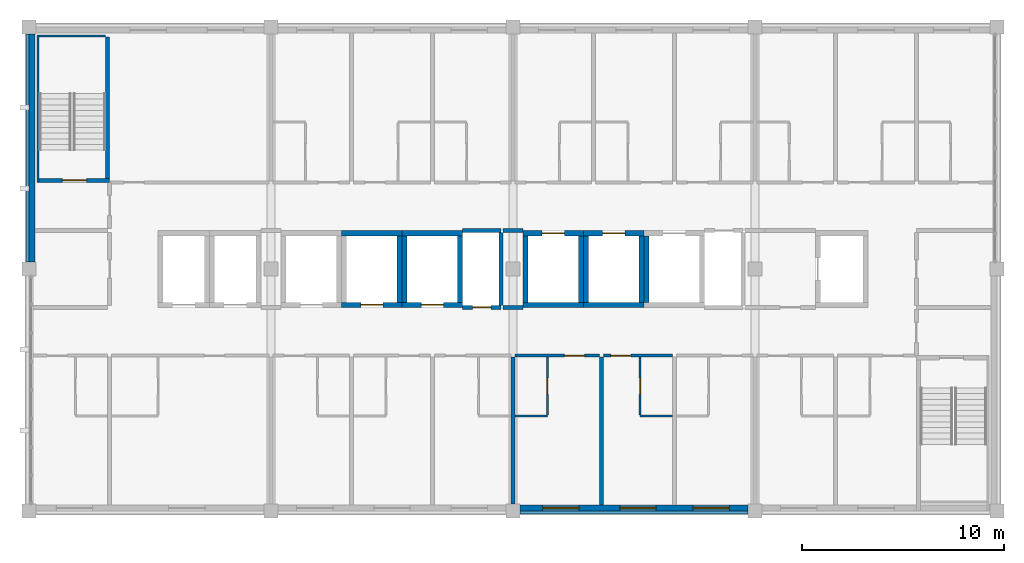
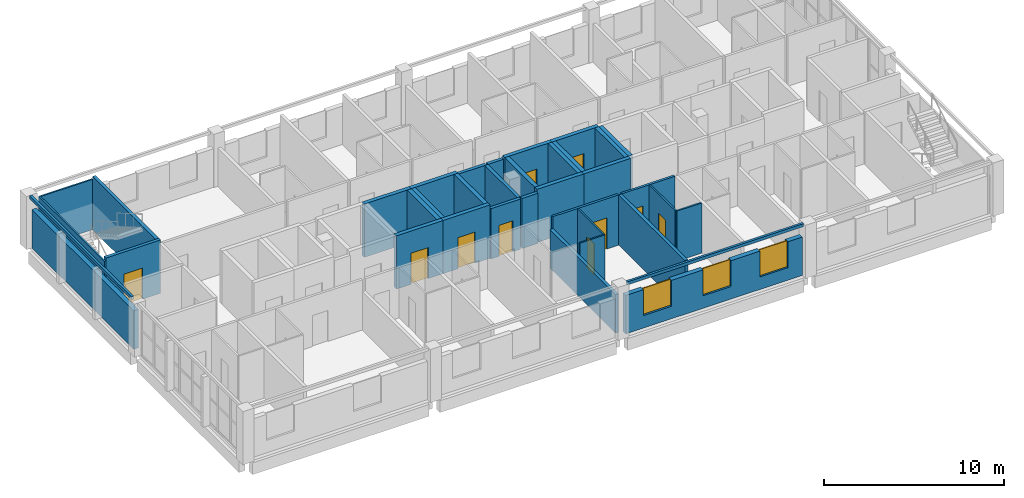
# One storey, part 7 of 11: 37 walls, 10 doors, 3 windows, 13 openings.
"""IFC4 building model written with IfcOpenShell, lengths in metres."""

from ifc_helpers import new_model, si_unit, direction, frame, frame_2d, origin, place, context, subcontext, project, spatial, rectangle, extrude, material, layer, layer_set, type_object, element, fill, save


model = new_model("IFC4")

# Units and contexts
model_context = context("Model", 3, precision=1e-05, world=origin(), true_north=direction((0.0, 1.0)))
body_context = subcontext(model_context, "Body", "Model", "MODEL_VIEW")
ifc_project = project(units=[si_unit("LENGTHUNIT", "METRE"), si_unit("AREAUNIT", "SQUARE_METRE"), si_unit("VOLUMEUNIT", "CUBIC_METRE"), si_unit("PLANEANGLEUNIT", "RADIAN"), si_unit("MASSUNIT", "GRAM", prefix="KILO")], contexts=[model_context])

# Site, building, storey
site_placement = place(None, origin())
site = spatial("IfcSite", under=ifc_project, at=site_placement, CompositionType="ELEMENT")
building_placement = place(site_placement, origin())
building = spatial("IfcBuilding", under=site, at=building_placement, Name="Lilac Gate Convention Centre", CompositionType="ELEMENT")
storey_placement = place(building_placement, frame((0.0, 0.0, 53.39990234375)))
storey = spatial("IfcBuildingStorey", under=building, at=storey_placement, Name="L13", CompositionType="ELEMENT", Elevation=53.39990234375)

# Walls
ifc_material_1 = material(Name="Concrete C40", Category="concrete")
ifc_layer_1 = layer(ifc_material_1, 0.10009765625)
ifc_layer_set_1 = layer_set([ifc_layer_1], Name="Concrete C40")
wall_type_1 = type_object("IfcWallType", Name="Core wall 100 C40", PredefinedType="SHEAR", material=ifc_layer_set_1)
wall_1_placement = place(storey_placement, frame((42.449951171875, 238.300048828125, 0.0), z_axis=(0.0, 0.0, 1.0), x_axis=(0.0, 1.0, 0.0)))
element("IfcWall", 1, at=wall_1_placement, inside=storey, type_object=wall_type_1, Name="CRW10 core wall TS-WX L13 1", PredefinedType="SHEAR", context=body_context, shape_type="SweptSolid", body=[
    extrude(rectangle(XDim=7.300048828125, YDim=0.10009765625, at=frame_2d((3.64990234375, 0.0))), origin(), (0.0, 0.0, 1.0), 3.400146484375),
])
wall_2_placement = place(storey_placement, frame((42.5, 245.550048828125, 0.0), z_axis=(0.0, 0.0, 1.0), x_axis=(1.0, 0.0, 0.0)))
element("IfcWall", 2, at=wall_2_placement, inside=storey, type_object=wall_type_1, Name="CRW10 core wall TS-WX L13 2", PredefinedType="SHEAR", context=body_context, shape_type="SweptSolid", body=[
    extrude(rectangle(XDim=3.300048828125, YDim=0.10009765625, at=frame_2d((1.64990234375, 0.0))), origin(), (0.0, 0.0, 1.0), 3.400146484375),
])

# Wall, opening, door
ifc_layer_2 = layer(ifc_material_1, 0.199951171875)
ifc_layer_set_2 = layer_set([ifc_layer_2], Name="Concrete C40")
wall_type_2 = type_object("IfcWallType", Name="Core wall 200 C40", PredefinedType="SHEAR", material=ifc_layer_set_2)
wall_3_placement = place(storey_placement, frame((42.5, 238.39990234375, 0.0), z_axis=(0.0, 0.0, 1.0), x_axis=(1.0, 0.0, 0.0)))
wall_3 = element("IfcWall", 3, at=wall_3_placement, inside=storey, type_object=wall_type_2, Name="CRW7 core wall TS-W L13 1", PredefinedType="SHEAR", context=body_context, shape_type="SweptSolid", body=[
    extrude(rectangle(XDim=3.5, YDim=0.199951171875, at=frame_2d((1.75, 0.0))), origin(), (0.0, 0.0, 1.0), 3.60009765625),
])
opening_1_placement = place(wall_3_placement, frame((1.14990234375, 0.0, 0.0)))
opening_1 = element("IfcOpeningElement", 4, at=opening_1_placement, cuts=wall_3, Name="Opening T13-056", PredefinedType="OPENING", context=body_context, shape_type="SweptSolid", body=[
    extrude(rectangle(XDim=1.199951171875, YDim=2.10009765625, at=frame_2d((0.60009765625, 1.050048828125))), frame((0.0, 0.10986328125, 0.0), z_axis=(0.0, -1.0, 0.0), x_axis=(1.0, 0.0, 0.0)), (0.0, 0.0, 1.0), 0.219970703125),
])
ifc_material_2 = material(Name="Steel Q235B", Category="steel")
door_type_1 = type_object("IfcDoorType", Name="Stair door 1200", OperationType="SINGLE_SWING_LEFT", PredefinedType="DOOR", material=ifc_material_2)
door_1_placement = place(opening_1_placement, origin())
door_1 = element("IfcDoor", 5, at=door_1_placement, inside=storey, type_object=door_type_1, Name="Stair door NW L13", OperationType="SINGLE_SWING_RIGHT", OverallHeight=2.10009765625, OverallWidth=1.199951171875, PredefinedType="DOOR", context=body_context, shape_type="SweptSolid", body=[
    extrude(rectangle(XDim=1.199951171875, YDim=2.10009765625, at=frame_2d((0.60009765625, 1.050048828125))), frame((0.0, 0.02490234375, 0.0), z_axis=(0.0, -1.0, 0.0), x_axis=(1.0, 0.0, 0.0)), (0.0, 0.0, 1.0), 0.050048828125),
])
fill(opening_1, door_1)

# Wall
wall_4_placement = place(storey_placement, frame((45.89990234375, 238.5, 0.0), z_axis=(0.0, 0.0, 1.0), x_axis=(0.0, 1.0, 0.0)))
element("IfcWall", 6, at=wall_4_placement, inside=storey, type_object=wall_type_2, Name="CRW7 core wall TS-W L13 2", PredefinedType="SHEAR", context=body_context, shape_type="SweptSolid", body=[
    extrude(rectangle(XDim=7.0, YDim=0.199951171875, at=frame_2d((3.5, 0.0))), origin(), (0.0, 0.0, 1.0), 3.60009765625),
])

# Wall, opening, door
ifc_layer_3 = layer(ifc_material_1, 0.25)
ifc_layer_set_3 = layer_set([ifc_layer_3], Name="Concrete C40")
wall_type_3 = type_object("IfcWallType", Name="Core wall 250 C40", PredefinedType="SHEAR", material=ifc_layer_set_3)
wall_5_placement = place(storey_placement, frame((57.5, 232.22509765625, 0.0), z_axis=(0.0, 0.0, 1.0), x_axis=(1.0, 0.0, 0.0)))
wall_5 = element("IfcWall", 7, at=wall_5_placement, inside=storey, type_object=wall_type_3, Name="CRW5 core wall TC L13 5", PredefinedType="SHEAR", context=body_context, shape_type="SweptSolid", body=[
    extrude(rectangle(XDim=3.0, YDim=0.25, at=frame_2d((1.5, 0.0))), origin(), (0.0, 0.0, 1.0), 3.60009765625),
])
opening_2_placement = place(wall_5_placement, frame((0.949951171875, 0.0, 0.0)))
opening_2 = element("IfcOpeningElement", 8, at=opening_2_placement, cuts=wall_5, Name="Opening T13-048", PredefinedType="OPENING", context=body_context, shape_type="SweptSolid", body=[
    extrude(rectangle(XDim=1.10009765625, YDim=2.10009765625, at=frame_2d((0.550048828125, 1.050048828125))), frame((0.0, 0.135009765625, 0.0), z_axis=(0.0, -1.0, 0.0), x_axis=(1.0, 0.0, 0.0)), (0.0, 0.0, 1.0), 0.27001953125),
])
ifc_material_3 = material(Name="Stainless steel 304", Category="steel")
door_type_2 = type_object("IfcDoorType", Name="Lift landing door 1100", OperationType="SLIDING_TO_LEFT", PredefinedType="DOOR", material=ifc_material_3)
door_2_placement = place(opening_2_placement, origin())
door_2 = element("IfcDoor", 9, at=door_2_placement, inside=storey, type_object=door_type_2, Name="Lift landing door TP2 L13", OperationType="SLIDING_TO_LEFT", OverallHeight=2.10009765625, OverallWidth=1.10009765625, PredefinedType="DOOR", context=body_context, shape_type="SweptSolid", body=[
    extrude(rectangle(XDim=1.10009765625, YDim=2.10009765625, at=frame_2d((0.550048828125, 1.050048828125))), frame((0.0, 0.02490234375, 0.0), z_axis=(0.0, -1.0, 0.0), x_axis=(1.0, 0.0, 0.0)), (0.0, 0.0, 1.0), 0.050048828125),
])
fill(opening_2, door_2)

# Walls
wall_6_placement = place(storey_placement, frame((57.5, 235.77490234375, 0.0), z_axis=(0.0, 0.0, 1.0), x_axis=(1.0, 0.0, 0.0)))
element("IfcWall", 10, at=wall_6_placement, inside=storey, type_object=wall_type_3, Name="CRW5 core wall TC L13 6", PredefinedType="SHEAR", context=body_context, shape_type="SweptSolid", body=[
    extrude(rectangle(XDim=3.0, YDim=0.25, at=frame_2d((1.5, 0.0))), origin(), (0.0, 0.0, 1.0), 3.60009765625),
])
wall_7_placement = place(storey_placement, frame((60.375, 232.35009765625, 0.0), z_axis=(0.0, 0.0, 1.0), x_axis=(0.0, 1.0, 0.0)))
element("IfcWall", 11, at=wall_7_placement, inside=storey, type_object=wall_type_3, Name="CRW5 core wall TC L13 8", PredefinedType="SHEAR", context=body_context, shape_type="SweptSolid", body=[
    extrude(rectangle(XDim=3.2998046875, YDim=0.25, at=frame_2d((1.64990234375, 0.0))), origin(), (0.0, 0.0, 1.0), 3.60009765625),
])

# Wall, opening, door
wall_8_placement = place(storey_placement, frame((60.5, 232.22509765625, 0.0), z_axis=(0.0, 0.0, 1.0), x_axis=(1.0, 0.0, 0.0)))
wall_8 = element("IfcWall", 12, at=wall_8_placement, inside=storey, type_object=wall_type_3, Name="CRW5 core wall TC L13 9", PredefinedType="SHEAR", context=body_context, shape_type="SweptSolid", body=[
    extrude(rectangle(XDim=3.0, YDim=0.25, at=frame_2d((1.5, 0.0))), origin(), (0.0, 0.0, 1.0), 3.60009765625),
])
opening_3_placement = place(wall_8_placement, frame((0.949951171875, 0.0, 0.0)))
opening_3 = element("IfcOpeningElement", 13, at=opening_3_placement, cuts=wall_8, Name="Opening T13-049", PredefinedType="OPENING", context=body_context, shape_type="SweptSolid", body=[
    extrude(rectangle(XDim=1.10009765625, YDim=2.10009765625, at=frame_2d((0.550048828125, 1.050048828125))), frame((0.0, 0.135009765625, 0.0), z_axis=(0.0, -1.0, 0.0), x_axis=(1.0, 0.0, 0.0)), (0.0, 0.0, 1.0), 0.27001953125),
])
door_3_placement = place(opening_3_placement, origin())
door_3 = element("IfcDoor", 14, at=door_3_placement, inside=storey, type_object=door_type_2, Name="Lift landing door TP3 L13", OperationType="SLIDING_TO_LEFT", OverallHeight=2.10009765625, OverallWidth=1.10009765625, PredefinedType="DOOR", context=body_context, shape_type="SweptSolid", body=[
    extrude(rectangle(XDim=1.10009765625, YDim=2.10009765625, at=frame_2d((0.550048828125, 1.050048828125))), frame((0.0, 0.02490234375, 0.0), z_axis=(0.0, -1.0, 0.0), x_axis=(1.0, 0.0, 0.0)), (0.0, 0.0, 1.0), 0.050048828125),
])
fill(opening_3, door_3)

# Walls
wall_9_placement = place(storey_placement, frame((60.5, 235.77490234375, 0.0), z_axis=(0.0, 0.0, 1.0), x_axis=(1.0, 0.0, 0.0)))
element("IfcWall", 15, at=wall_9_placement, inside=storey, type_object=wall_type_3, Name="CRW5 core wall TC L13 10", PredefinedType="SHEAR", context=body_context, shape_type="SweptSolid", body=[
    extrude(rectangle(XDim=3.0, YDim=0.25, at=frame_2d((1.5, 0.0))), origin(), (0.0, 0.0, 1.0), 3.60009765625),
])
for number, where, z_axis, x_axis, name in (
    (16, (60.625, 232.35009765625, 0.0), (0.0, 0.0, 1.0), (0.0, 1.0, 0.0), "CRW5 core wall TC L13 11"),
    (17, (63.375, 232.35009765625, 0.0), (0.0, 0.0, 1.0), (0.0, 1.0, 0.0), "CRW5 core wall TC L13 12"),
):
    element("IfcWall", number, at=place(storey_placement, frame(where, z_axis=z_axis, x_axis=x_axis)), inside=storey, type_object=wall_type_3, Name=name, PredefinedType="SHEAR", context=body_context, shape_type="SweptSolid", body=[
        extrude(rectangle(XDim=3.2998046875, YDim=0.25, at=frame_2d((1.64990234375, 0.0))), origin(), (0.0, 0.0, 1.0), 3.60009765625),
    ])
wall_10_placement = place(storey_placement, frame((66.5, 232.22509765625, 0.0), z_axis=(0.0, 0.0, 1.0), x_axis=(1.0, 0.0, 0.0)))
element("IfcWall", 18, at=wall_10_placement, inside=storey, type_object=wall_type_3, Name="CRW5 core wall TC L13 13", PredefinedType="SHEAR", context=body_context, shape_type="SweptSolid", body=[
    extrude(rectangle(XDim=3.0, YDim=0.25, at=frame_2d((1.5, 0.0))), origin(), (0.0, 0.0, 1.0), 3.60009765625),
])

# Wall, opening, door
wall_11_placement = place(storey_placement, frame((66.5, 235.77490234375, 0.0), z_axis=(0.0, 0.0, 1.0), x_axis=(1.0, 0.0, 0.0)))
wall_11 = element("IfcWall", 19, at=wall_11_placement, inside=storey, type_object=wall_type_3, Name="CRW5 core wall TC L13 14", PredefinedType="SHEAR", context=body_context, shape_type="SweptSolid", body=[
    extrude(rectangle(XDim=3.0, YDim=0.25, at=frame_2d((1.5, 0.0))), origin(), (0.0, 0.0, 1.0), 3.60009765625),
])
opening_4_placement = place(wall_11_placement, frame((0.949951171875, 0.0, 0.0)))
opening_4 = element("IfcOpeningElement", 20, at=opening_4_placement, cuts=wall_11, Name="Opening T13-050", PredefinedType="OPENING", context=body_context, shape_type="SweptSolid", body=[
    extrude(rectangle(XDim=1.10009765625, YDim=2.10009765625, at=frame_2d((0.550048828125, 1.050048828125))), frame((0.0, 0.135009765625, 0.0), z_axis=(0.0, -1.0, 0.0), x_axis=(1.0, 0.0, 0.0)), (0.0, 0.0, 1.0), 0.27001953125),
])
door_4_placement = place(opening_4_placement, origin())
door_4 = element("IfcDoor", 21, at=door_4_placement, inside=storey, type_object=door_type_2, Name="Lift landing door TP4 L13", OperationType="SLIDING_TO_LEFT", OverallHeight=2.10009765625, OverallWidth=1.10009765625, PredefinedType="DOOR", context=body_context, shape_type="SweptSolid", body=[
    extrude(rectangle(XDim=1.10009765625, YDim=2.10009765625, at=frame_2d((0.550048828125, 1.050048828125))), frame((0.0, 0.02490234375, 0.0), z_axis=(0.0, -1.0, 0.0), x_axis=(1.0, 0.0, 0.0)), (0.0, 0.0, 1.0), 0.050048828125),
])
fill(opening_4, door_4)

# Walls
for number, where, z_axis, x_axis, name in (
    (22, (66.625, 232.35009765625, 0.0), (0.0, 0.0, 1.0), (0.0, 1.0, 0.0), "CRW5 core wall TC L13 15"),
    (23, (69.375, 232.35009765625, 0.0), (0.0, 0.0, 1.0), (0.0, 1.0, 0.0), "CRW5 core wall TC L13 16"),
):
    element("IfcWall", number, at=place(storey_placement, frame(where, z_axis=z_axis, x_axis=x_axis)), inside=storey, type_object=wall_type_3, Name=name, PredefinedType="SHEAR", context=body_context, shape_type="SweptSolid", body=[
        extrude(rectangle(XDim=3.2998046875, YDim=0.25, at=frame_2d((1.64990234375, 0.0))), origin(), (0.0, 0.0, 1.0), 3.60009765625),
    ])
wall_12_placement = place(storey_placement, frame((69.5, 232.22509765625, 0.0), z_axis=(0.0, 0.0, 1.0), x_axis=(1.0, 0.0, 0.0)))
element("IfcWall", 24, at=wall_12_placement, inside=storey, type_object=wall_type_3, Name="CRW5 core wall TC L13 17", PredefinedType="SHEAR", context=body_context, shape_type="SweptSolid", body=[
    extrude(rectangle(XDim=3.0, YDim=0.25, at=frame_2d((1.5, 0.0))), origin(), (0.0, 0.0, 1.0), 3.60009765625),
])

# Wall, opening, door
wall_13_placement = place(storey_placement, frame((69.5, 235.77490234375, 0.0), z_axis=(0.0, 0.0, 1.0), x_axis=(1.0, 0.0, 0.0)))
wall_13 = element("IfcWall", 25, at=wall_13_placement, inside=storey, type_object=wall_type_3, Name="CRW5 core wall TC L13 18", PredefinedType="SHEAR", context=body_context, shape_type="SweptSolid", body=[
    extrude(rectangle(XDim=3.0, YDim=0.25, at=frame_2d((1.5, 0.0))), origin(), (0.0, 0.0, 1.0), 3.60009765625),
])
opening_5_placement = place(wall_13_placement, frame((0.949951171875, 0.0, 0.0)))
opening_5 = element("IfcOpeningElement", 26, at=opening_5_placement, cuts=wall_13, Name="Opening T13-051", PredefinedType="OPENING", context=body_context, shape_type="SweptSolid", body=[
    extrude(rectangle(XDim=1.10009765625, YDim=2.10009765625, at=frame_2d((0.550048828125, 1.050048828125))), frame((0.0, 0.135009765625, 0.0), z_axis=(0.0, -1.0, 0.0), x_axis=(1.0, 0.0, 0.0)), (0.0, 0.0, 1.0), 0.27001953125),
])
door_5_placement = place(opening_5_placement, origin())
door_5 = element("IfcDoor", 27, at=door_5_placement, inside=storey, type_object=door_type_2, Name="Lift landing door TP5 L13", OperationType="SLIDING_TO_LEFT", OverallHeight=2.10009765625, OverallWidth=1.10009765625, PredefinedType="DOOR", context=body_context, shape_type="SweptSolid", body=[
    extrude(rectangle(XDim=1.10009765625, YDim=2.10009765625, at=frame_2d((0.550048828125, 1.050048828125))), frame((0.0, 0.02490234375, 0.0), z_axis=(0.0, -1.0, 0.0), x_axis=(1.0, 0.0, 0.0)), (0.0, 0.0, 1.0), 0.050048828125),
])
fill(opening_5, door_5)

# Walls
for number, where, z_axis, x_axis, name in (
    (28, (69.625, 232.35009765625, 0.0), (0.0, 0.0, 1.0), (0.0, 1.0, 0.0), "CRW5 core wall TC L13 19"),
    (29, (72.375, 232.35009765625, 0.0), (0.0, 0.0, 1.0), (0.0, 1.0, 0.0), "CRW5 core wall TC L13 20"),
    (30, (72.625, 232.35009765625, 0.0), (0.0, 0.0, 1.0), (0.0, 1.0, 0.0), "CRW5 core wall TC L13 23"),
):
    element("IfcWall", number, at=place(storey_placement, frame(where, z_axis=z_axis, x_axis=x_axis)), inside=storey, type_object=wall_type_3, Name=name, PredefinedType="SHEAR", context=body_context, shape_type="SweptSolid", body=[
        extrude(rectangle(XDim=3.2998046875, YDim=0.25, at=frame_2d((1.64990234375, 0.0))), origin(), (0.0, 0.0, 1.0), 3.60009765625),
    ])

# Wall, opening, door
ifc_material_4 = material(Name="Gypsum board on steel stud", Category="steel")
ifc_layer_4 = layer(ifc_material_4, 0.14990234375)
ifc_layer_set_4 = layer_set([ifc_layer_4], Name="Gypsum board on steel stud")
wall_type_4 = type_object("IfcWallType", Name="Corridor wall 150", PredefinedType="PARTITIONING", material=ifc_layer_set_4)
wall_14_placement = place(storey_placement, frame((70.300048828125, 229.699951171875, 0.0), z_axis=(0.0, 0.0, 1.0), x_axis=(-1.0, 0.0, 0.0)))
wall_14 = element("IfcWall", 31, at=wall_14_placement, inside=storey, type_object=wall_type_4, Name="Corridor wall 150 front 1306", PredefinedType="PARTITIONING", context=body_context, shape_type="SweptSolid", body=[
    extrude(rectangle(XDim=4.199951171875, YDim=0.14990234375, at=frame_2d((2.10009765625, 0.0))), origin(), (0.0, 0.0, 1.0), 3.400146484375),
])
opening_6_placement = place(wall_14_placement, frame((0.75, 0.0, 0.0)))
opening_6 = element("IfcOpeningElement", 32, at=opening_6_placement, cuts=wall_14, Name="Opening T13-018", PredefinedType="OPENING", context=body_context, shape_type="SweptSolid", body=[
    extrude(rectangle(XDim=1.0, YDim=2.10009765625, at=frame_2d((0.5, 1.050048828125))), frame((0.0, 0.0849609375, 0.0), z_axis=(0.0, -1.0, 0.0), x_axis=(1.0, 0.0, 0.0)), (0.0, 0.0, 1.0), 0.169921875),
])
ifc_material_5 = material(Name="Timber", Category="wood")
door_type_3 = type_object("IfcDoorType", Name="Guest room entrance door 1000", OperationType="SINGLE_SWING_LEFT", PredefinedType="DOOR", material=ifc_material_5)
door_6_placement = place(opening_6_placement, origin())
door_6 = element("IfcDoor", 33, at=door_6_placement, inside=storey, type_object=door_type_3, Name="Guest room door 1306", OperationType="SINGLE_SWING_LEFT", OverallHeight=2.10009765625, OverallWidth=1.0, PredefinedType="DOOR", context=body_context, shape_type="SweptSolid", body=[
    extrude(rectangle(XDim=1.0, YDim=2.10009765625, at=frame_2d((0.5, 1.050048828125))), frame((0.0, 0.02490234375, 0.0), z_axis=(0.0, -1.0, 0.0), x_axis=(1.0, 0.0, 0.0)), (0.0, 0.0, 1.0), 0.050048828125),
])
fill(opening_6, door_6)

wall_15_placement = place(storey_placement, frame((73.89990234375, 229.699951171875, 0.0), z_axis=(0.0, 0.0, 1.0), x_axis=(-1.0, 0.0, 0.0)))
wall_15 = element("IfcWall", 34, at=wall_15_placement, inside=storey, type_object=wall_type_4, Name="Corridor wall 150 front 1307", PredefinedType="PARTITIONING", context=body_context, shape_type="SweptSolid", body=[
    extrude(rectangle(XDim=3.39990234375, YDim=0.14990234375, at=frame_2d((1.699951171875, 0.0))), origin(), (0.0, 0.0, 1.0), 3.400146484375),
])
opening_7_placement = place(wall_15_placement, frame((2.050048828125, 0.0, 0.0)))
opening_7 = element("IfcOpeningElement", 35, at=opening_7_placement, cuts=wall_15, Name="Opening T13-020", PredefinedType="OPENING", context=body_context, shape_type="SweptSolid", body=[
    extrude(rectangle(XDim=1.0, YDim=2.10009765625, at=frame_2d((0.5, 1.050048828125))), frame((0.0, 0.0849609375, 0.0), z_axis=(0.0, -1.0, 0.0), x_axis=(1.0, 0.0, 0.0)), (0.0, 0.0, 1.0), 0.169921875),
])
door_7_placement = place(opening_7_placement, origin())
door_7 = element("IfcDoor", 36, at=door_7_placement, inside=storey, type_object=door_type_3, Name="Guest room door 1307", OperationType="SINGLE_SWING_LEFT", OverallHeight=2.10009765625, OverallWidth=1.0, PredefinedType="DOOR", context=body_context, shape_type="SweptSolid", body=[
    extrude(rectangle(XDim=1.0, YDim=2.10009765625, at=frame_2d((0.5, 1.050048828125))), frame((0.0, 0.02490234375, 0.0), z_axis=(0.0, -1.0, 0.0), x_axis=(1.0, 0.0, 0.0)), (0.0, 0.0, 1.0), 0.050048828125),
])
fill(opening_7, door_7)

# Wall
ifc_layer_5 = layer(ifc_material_4, 0.10009765625)
ifc_layer_set_5 = layer_set([ifc_layer_5], Name="Gypsum board on steel stud")
wall_type_5 = type_object("IfcWallType", Name="En-suite wall 100", PredefinedType="PARTITIONING", material=ifc_layer_set_5)
wall_16_placement = place(storey_placement, frame((66.10009765625, 226.699951171875, 0.0), z_axis=(0.0, 0.0, 1.0), x_axis=(1.0, 0.0, 0.0)))
element("IfcWall", 37, at=wall_16_placement, inside=storey, type_object=wall_type_5, Name="En-suite wall 100 bath 1306", PredefinedType="PARTITIONING", context=body_context, shape_type="SweptSolid", body=[
    extrude(rectangle(XDim=1.599853515625, YDim=0.10009765625, at=frame_2d((0.7998046875, 0.0))), origin(), (0.0, 0.0, 1.0), 3.400146484375),
])

# Wall, opening, door
wall_17_placement = place(storey_placement, frame((67.699951171875, 229.625, 0.0), z_axis=(0.0, 0.0, 1.0), x_axis=(0.0, -1.0, 0.0)))
wall_17 = element("IfcWall", 38, at=wall_17_placement, inside=storey, type_object=wall_type_5, Name="En-suite wall 100 bath side 1306", PredefinedType="PARTITIONING", context=body_context, shape_type="SweptSolid", body=[
    extrude(rectangle(XDim=2.875, YDim=0.10009765625, at=frame_2d((1.4375, 0.0))), origin(), (0.0, 0.0, 1.0), 3.400146484375),
])
opening_8_placement = place(wall_17_placement, frame((1.03759765625, 0.0, 0.0)))
opening_8 = element("IfcOpeningElement", 39, at=opening_8_placement, cuts=wall_17, Name="Opening T13-019", PredefinedType="OPENING", context=body_context, shape_type="SweptSolid", body=[
    extrude(rectangle(XDim=0.800048828125, YDim=2.10009765625, at=frame_2d((0.39990234375, 1.050048828125))), frame((0.0, 0.06005859375, 0.0), z_axis=(0.0, -1.0, 0.0), x_axis=(1.0, 0.0, 0.0)), (0.0, 0.0, 1.0), 0.1201171875),
])
door_type_4 = type_object("IfcDoorType", Name="En-suite door 800", OperationType="SINGLE_SWING_LEFT", PredefinedType="DOOR", material=ifc_material_5)
door_8_placement = place(opening_8_placement, origin())
door_8 = element("IfcDoor", 40, at=door_8_placement, inside=storey, type_object=door_type_4, Name="En-suite door 1306", OperationType="SINGLE_SWING_LEFT", OverallHeight=2.10009765625, OverallWidth=0.800048828125, PredefinedType="DOOR", context=body_context, shape_type="SweptSolid", body=[
    extrude(rectangle(XDim=0.800048828125, YDim=2.10009765625, at=frame_2d((0.39990234375, 1.050048828125))), frame((0.0, 0.02490234375, 0.0), z_axis=(0.0, -1.0, 0.0), x_axis=(1.0, 0.0, 0.0)), (0.0, 0.0, 1.0), 0.050048828125),
])
fill(opening_8, door_8)

# Wall
wall_18_placement = place(storey_placement, frame((72.300048828125, 226.699951171875, 0.0), z_axis=(0.0, 0.0, 1.0), x_axis=(1.0, 0.0, 0.0)))
element("IfcWall", 41, at=wall_18_placement, inside=storey, type_object=wall_type_5, Name="En-suite wall 100 bath 1307", PredefinedType="PARTITIONING", context=body_context, shape_type="SweptSolid", body=[
    extrude(rectangle(XDim=1.599853515625, YDim=0.10009765625, at=frame_2d((0.7998046875, 0.0))), origin(), (0.0, 0.0, 1.0), 3.400146484375),
])

# Wall, opening, door
wall_19_placement = place(storey_placement, frame((72.300048828125, 226.75, 0.0), z_axis=(0.0, 0.0, 1.0), x_axis=(0.0, 1.0, 0.0)))
wall_19 = element("IfcWall", 42, at=wall_19_placement, inside=storey, type_object=wall_type_5, Name="En-suite wall 100 bath side 1307", PredefinedType="PARTITIONING", context=body_context, shape_type="SweptSolid", body=[
    extrude(rectangle(XDim=2.875, YDim=0.10009765625, at=frame_2d((1.4375, 0.0))), origin(), (0.0, 0.0, 1.0), 3.400146484375),
])
opening_9_placement = place(wall_19_placement, frame((1.03759765625, 0.0, 0.0)))
opening_9 = element("IfcOpeningElement", 43, at=opening_9_placement, cuts=wall_19, Name="Opening T13-021", PredefinedType="OPENING", context=body_context, shape_type="SweptSolid", body=[
    extrude(rectangle(XDim=0.800048828125, YDim=2.10009765625, at=frame_2d((0.39990234375, 1.050048828125))), frame((0.0, 0.06005859375, 0.0), z_axis=(0.0, -1.0, 0.0), x_axis=(1.0, 0.0, 0.0)), (0.0, 0.0, 1.0), 0.1201171875),
])
door_9_placement = place(opening_9_placement, origin())
door_9 = element("IfcDoor", 44, at=door_9_placement, inside=storey, type_object=door_type_4, Name="En-suite door 1307", OperationType="SINGLE_SWING_RIGHT", OverallHeight=2.10009765625, OverallWidth=0.800048828125, PredefinedType="DOOR", context=body_context, shape_type="SweptSolid", body=[
    extrude(rectangle(XDim=0.800048828125, YDim=2.10009765625, at=frame_2d((0.39990234375, 1.050048828125))), frame((0.0, 0.02490234375, 0.0), z_axis=(0.0, -1.0, 0.0), x_axis=(1.0, 0.0, 0.0)), (0.0, 0.0, 1.0), 0.050048828125),
])
fill(opening_9, door_9)

# Walls
ifc_layer_6 = layer(ifc_material_4, 0.199951171875)
ifc_layer_set_6 = layer_set([ifc_layer_6], Name="Gypsum board on steel stud")
wall_type_6 = type_object("IfcWallType", Name="Guest room party wall 200", PredefinedType="PARTITIONING", material=ifc_layer_set_6)
wall_20_placement = place(storey_placement, frame((66.0, 222.35009765625, 0.0), z_axis=(0.0, 0.0, 1.0), x_axis=(0.0, 1.0, 0.0)))
element("IfcWall", 45, at=wall_20_placement, inside=storey, type_object=wall_type_6, Name="Guest room party wall 200 party 66.0", PredefinedType="PARTITIONING", context=body_context, shape_type="SweptSolid", body=[
    extrude(rectangle(XDim=7.27490234375, YDim=0.199951171875, at=frame_2d((3.637451171875, 0.0))), origin(), (0.0, 0.0, 1.0), 2.60009765625),
])
wall_21_placement = place(storey_placement, frame((70.39990234375, 222.2998046875, 0.0), z_axis=(0.0, 0.0, 1.0), x_axis=(0.0, 1.0, 0.0)))
element("IfcWall", 46, at=wall_21_placement, inside=storey, type_object=wall_type_6, Name="Guest room party wall 200 party 70.4", PredefinedType="PARTITIONING", context=body_context, shape_type="SweptSolid", body=[
    extrude(rectangle(XDim=7.3251953125, YDim=0.199951171875, at=frame_2d((3.66259765625, 0.0))), origin(), (0.0, 0.0, 1.0), 3.400146484375),
])
ifc_material_6 = material(Name="Concrete C40 precast", Category="concrete")
ifc_layer_7 = layer(ifc_material_6, 0.1298828125)
ifc_material_7 = material(Name="Ochre mineral render")
ifc_layer_8 = layer(ifc_material_7, 0.02001953125)
ifc_layer_set_7 = layer_set([ifc_layer_7, ifc_layer_8], Name="Concrete C40 precast, Ochre mineral render")
wall_type_7 = type_object("IfcWallType", Name="Precast band ochre 150", PredefinedType="STANDARD", material=ifc_layer_set_7)
for number, where, z_axis, x_axis, name in (
    (47, (66.35009765625, 221.925048828125, 3.400146484375), (0.0, 0.0, 1.0), (1.0, 0.0, 0.0), "Precast band S L13 3"),
    (48, (41.925048828125, 245.64990234375, 3.400146484375), (0.0, 0.0, 1.0), (0.0, -1.0, 0.0), "Precast band W L13 1"),
):
    element("IfcWall", number, at=place(storey_placement, frame(where, z_axis=z_axis, x_axis=x_axis)), inside=storey, type_object=wall_type_7, Name=name, PredefinedType="STANDARD", context=body_context, shape_type="SweptSolid", body=[
        extrude(rectangle(XDim=11.2998046875, YDim=0.14990234375, at=frame_2d((5.64990234375, 0.0))), origin(), (0.0, 0.0, 1.0), 0.199951171875),
    ])

# Wall, openings, windows
ifc_material_8 = material(Name="Terracotta glazed cladding", Category="masonry")
ifc_layer_9 = layer(ifc_material_8, 0.02001953125)
ifc_layer_10 = layer(ifc_material_6, 0.06005859375)
ifc_material_9 = material(Name="Ventilated air cavity")
ifc_layer_11 = layer(ifc_material_9, 0.030029296875)
ifc_material_10 = material(Name="Mineral wool insulation")
ifc_layer_12 = layer(ifc_material_10, 0.1201171875)
ifc_material_11 = material(Name="Steel stud Q345 and gypsum lining", Category="steel")
ifc_layer_13 = layer(ifc_material_11, 0.070068359375)
ifc_layer_set_8 = layer_set([ifc_layer_9, ifc_layer_10, ifc_layer_11, ifc_layer_12, ifc_layer_13], Name="Terracotta glazed cladding, Concrete C40 precast, Ventilated air cavity, Mineral wool insulation, Steel stud Q345 and gypsum lining")
wall_type_8 = type_object("IfcWallType", Name="Precast panel wall terracotta 300", PredefinedType="STANDARD", material=ifc_layer_set_8)
wall_22_placement = place(storey_placement, frame((66.35009765625, 222.14990234375, 0.0), z_axis=(0.0, 0.0, 1.0), x_axis=(1.0, 0.0, 0.0)))
wall_22 = element("IfcWall", 49, at=wall_22_placement, inside=storey, type_object=wall_type_8, Name="External wall S L13 3", PredefinedType="STANDARD", context=body_context, shape_type="SweptSolid", body=[
    extrude(rectangle(XDim=11.2998046875, YDim=0.300048828125, at=frame_2d((5.64990234375, 0.0))), origin(), (0.0, 0.0, 1.0), 2.60009765625),
])
opening_10_placement = place(wall_22_placement, frame((1.125, 0.0, 0.85009765625)))
opening_10 = element("IfcOpeningElement", 50, at=opening_10_placement, cuts=wall_22, Name="Opening W1", PredefinedType="OPENING", context=body_context, shape_type="SweptSolid", body=[
    extrude(rectangle(XDim=1.800048828125, YDim=1.75, at=frame_2d((0.89990234375, 0.875))), frame((0.0, 0.159912109375, 0.0), z_axis=(0.0, -1.0, 0.0), x_axis=(1.0, 0.0, 0.0)), (0.0, 0.0, 1.0), 0.320068359375),
])
opening_11_placement = place(wall_22_placement, frame((4.949951171875, 0.0, 0.85009765625)))
opening_11 = element("IfcOpeningElement", 51, at=opening_11_placement, cuts=wall_22, Name="Opening W1", PredefinedType="OPENING", context=body_context, shape_type="SweptSolid", body=[
    extrude(rectangle(XDim=1.800048828125, YDim=1.75, at=frame_2d((0.89990234375, 0.875))), frame((0.0, 0.159912109375, 0.0), z_axis=(0.0, -1.0, 0.0), x_axis=(1.0, 0.0, 0.0)), (0.0, 0.0, 1.0), 0.320068359375),
])
opening_12_placement = place(wall_22_placement, frame((8.574951171875, 0.0, 0.85009765625)))
opening_12 = element("IfcOpeningElement", 52, at=opening_12_placement, cuts=wall_22, Name="Opening W1", PredefinedType="OPENING", context=body_context, shape_type="SweptSolid", body=[
    extrude(rectangle(XDim=1.800048828125, YDim=1.75, at=frame_2d((0.89990234375, 0.875))), frame((0.0, 0.159912109375, 0.0), z_axis=(0.0, -1.0, 0.0), x_axis=(1.0, 0.0, 0.0)), (0.0, 0.0, 1.0), 0.320068359375),
])
ifc_material_12 = material(Name="Aluminium framed double glazing", Category="aluminium")
window_type = type_object("IfcWindowType", Name="Guest room window 1800 x 1750", PartitioningType="DOUBLE_PANEL_VERTICAL", PredefinedType="WINDOW", material=ifc_material_12)
window_1_placement = place(opening_10_placement, origin())
window_1 = element("IfcWindow", 53, at=window_1_placement, inside=storey, type_object=window_type, Name="Window Guest S L13", OverallHeight=1.75, OverallWidth=1.800048828125, PartitioningType="SINGLE_PANEL", PredefinedType="WINDOW", context=body_context, shape_type="SweptSolid", body=[
    extrude(rectangle(XDim=1.800048828125, YDim=1.75, at=frame_2d((0.89990234375, 0.875))), frame((0.0, 0.030029296875, 0.0), z_axis=(0.0, -1.0, 0.0), x_axis=(1.0, 0.0, 0.0)), (0.0, 0.0, 1.0), 0.06005859375),
])
fill(opening_10, window_1)
window_2_placement = place(opening_11_placement, origin())
window_2 = element("IfcWindow", 54, at=window_2_placement, inside=storey, type_object=window_type, Name="Window Guest S L13", OverallHeight=1.75, OverallWidth=1.800048828125, PartitioningType="SINGLE_PANEL", PredefinedType="WINDOW", context=body_context, shape_type="SweptSolid", body=[
    extrude(rectangle(XDim=1.800048828125, YDim=1.75, at=frame_2d((0.89990234375, 0.875))), frame((0.0, 0.030029296875, 0.0), z_axis=(0.0, -1.0, 0.0), x_axis=(1.0, 0.0, 0.0)), (0.0, 0.0, 1.0), 0.06005859375),
])
fill(opening_11, window_2)
window_3_placement = place(opening_12_placement, origin())
window_3 = element("IfcWindow", 55, at=window_3_placement, inside=storey, type_object=window_type, Name="Window Guest S L13", OverallHeight=1.75, OverallWidth=1.800048828125, PartitioningType="SINGLE_PANEL", PredefinedType="WINDOW", context=body_context, shape_type="SweptSolid", body=[
    extrude(rectangle(XDim=1.800048828125, YDim=1.75, at=frame_2d((0.89990234375, 0.875))), frame((0.0, 0.030029296875, 0.0), z_axis=(0.0, -1.0, 0.0), x_axis=(1.0, 0.0, 0.0)), (0.0, 0.0, 1.0), 0.06005859375),
])
fill(opening_12, window_3)

# Wall
wall_23_placement = place(storey_placement, frame((42.14990234375, 245.64990234375, 0.0), z_axis=(0.0, 0.0, 1.0), x_axis=(0.0, -1.0, 0.0)))
element("IfcWall", 56, at=wall_23_placement, inside=storey, type_object=wall_type_8, Name="External wall W L13 1", PredefinedType="STANDARD", context=body_context, shape_type="SweptSolid", body=[
    extrude(rectangle(XDim=11.2998046875, YDim=0.300048828125, at=frame_2d((5.64990234375, 0.0))), origin(), (0.0, 0.0, 1.0), 2.60009765625),
])

# Wall, opening, door
ifc_layer_14 = layer(ifc_material_4, 0.199951171875)
ifc_layer_set_9 = layer_set([ifc_layer_14], Name="Gypsum board on steel stud")
wall_type_9 = type_object("IfcWallType", Name="Riser and store wall 200", PredefinedType="PARTITIONING", material=ifc_layer_set_9)
wall_24_placement = place(storey_placement, frame((63.5, 232.10009765625, 0.0), z_axis=(0.0, 0.0, 1.0), x_axis=(1.0, 0.0, 0.0)))
wall_24 = element("IfcWall", 57, at=wall_24_placement, inside=storey, type_object=wall_type_9, Name="Riser and store wall 200 RS1-S", PredefinedType="PARTITIONING", context=body_context, shape_type="SweptSolid", body=[
    extrude(rectangle(XDim=1.89990234375, YDim=0.199951171875, at=frame_2d((0.949951171875, 0.0))), origin(), (0.0, 0.0, 1.0), 3.400146484375),
])
opening_13_placement = place(wall_24_placement, frame((0.5, 0.0, 0.0)))
opening_13 = element("IfcOpeningElement", 58, at=opening_13_placement, cuts=wall_24, Name="Opening T13-002", PredefinedType="OPENING", context=body_context, shape_type="SweptSolid", body=[
    extrude(rectangle(XDim=0.89990234375, YDim=2.10009765625, at=frame_2d((0.449951171875, 1.050048828125))), frame((0.0, 0.10986328125, 0.0), z_axis=(0.0, -1.0, 0.0), x_axis=(1.0, 0.0, 0.0)), (0.0, 0.0, 1.0), 0.219970703125),
])
door_type_5 = type_object("IfcDoorType", Name="Riser and store door 900", OperationType="SINGLE_SWING_LEFT", PredefinedType="DOOR", material=ifc_material_2)
door_10_placement = place(opening_13_placement, origin())
door_10 = element("IfcDoor", 59, at=door_10_placement, inside=storey, type_object=door_type_5, Name="Riser room door", OperationType="SINGLE_SWING_RIGHT", OverallHeight=2.10009765625, OverallWidth=0.89990234375, PredefinedType="DOOR", context=body_context, shape_type="SweptSolid", body=[
    extrude(rectangle(XDim=0.89990234375, YDim=2.10009765625, at=frame_2d((0.449951171875, 1.050048828125))), frame((0.0, 0.02490234375, 0.0), z_axis=(0.0, -1.0, 0.0), x_axis=(1.0, 0.0, 0.0)), (0.0, 0.0, 1.0), 0.050048828125),
])
fill(opening_13, door_10)

# Walls
wall_25_placement = place(storey_placement, frame((65.5, 232.10009765625, 0.0), z_axis=(0.0, 0.0, 1.0), x_axis=(1.0, 0.0, 0.0)))
element("IfcWall", 60, at=wall_25_placement, inside=storey, type_object=wall_type_9, Name="Riser and store wall 200 NICHE2-S", PredefinedType="PARTITIONING", context=body_context, shape_type="SweptSolid", body=[
    extrude(rectangle(XDim=1.0, YDim=0.199951171875, at=frame_2d((0.5, 0.0))), origin(), (0.0, 0.0, 1.0), 3.400146484375),
])
wall_26_placement = place(storey_placement, frame((63.5, 235.89990234375, 0.0), z_axis=(0.0, 0.0, 1.0), x_axis=(1.0, 0.0, 0.0)))
element("IfcWall", 61, at=wall_26_placement, inside=storey, type_object=wall_type_9, Name="Riser and store wall 200 RS1-N", PredefinedType="PARTITIONING", context=body_context, shape_type="SweptSolid", body=[
    extrude(rectangle(XDim=1.89990234375, YDim=0.199951171875, at=frame_2d((0.949951171875, 0.0))), origin(), (0.0, 0.0, 1.0), 3.400146484375),
])
wall_27_placement = place(storey_placement, frame((65.5, 235.89990234375, 0.0), z_axis=(0.0, 0.0, 1.0), x_axis=(1.0, 0.0, 0.0)))
element("IfcWall", 62, at=wall_27_placement, inside=storey, type_object=wall_type_9, Name="Riser and store wall 200 NICHE2-N", PredefinedType="PARTITIONING", context=body_context, shape_type="SweptSolid", body=[
    extrude(rectangle(XDim=1.0, YDim=0.199951171875, at=frame_2d((0.5, 0.0))), origin(), (0.0, 0.0, 1.0), 3.400146484375),
])
wall_28_placement = place(storey_placement, frame((65.39990234375, 232.199951171875, 0.0), z_axis=(0.0, 0.0, 1.0), x_axis=(0.0, 1.0, 0.0)))
element("IfcWall", 63, at=wall_28_placement, inside=storey, type_object=wall_type_9, Name="Riser and store wall 200 RS1-E", PredefinedType="PARTITIONING", context=body_context, shape_type="SweptSolid", body=[
    extrude(rectangle(XDim=3.60009765625, YDim=0.199951171875, at=frame_2d((1.800048828125, 0.0))), origin(), (0.0, 0.0, 1.0), 3.400146484375),
])

save(model, "model.ifc")
